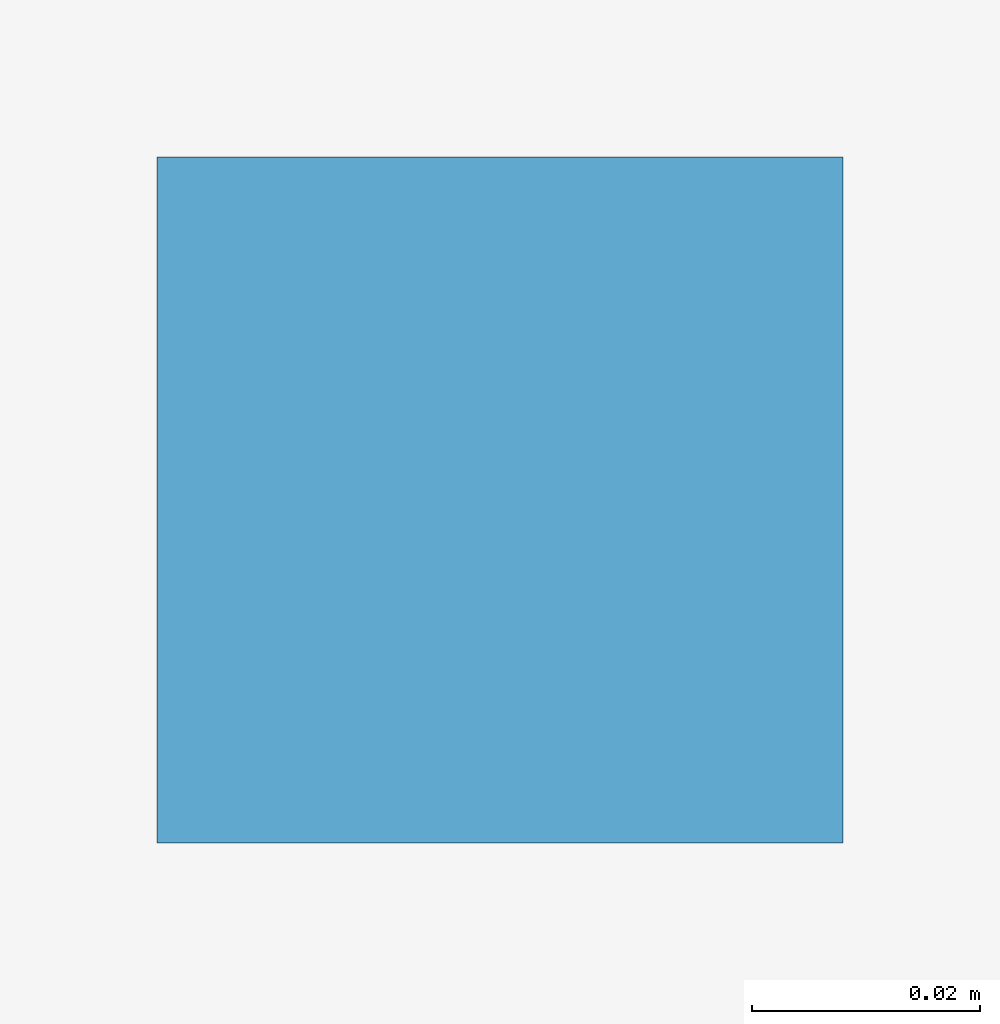
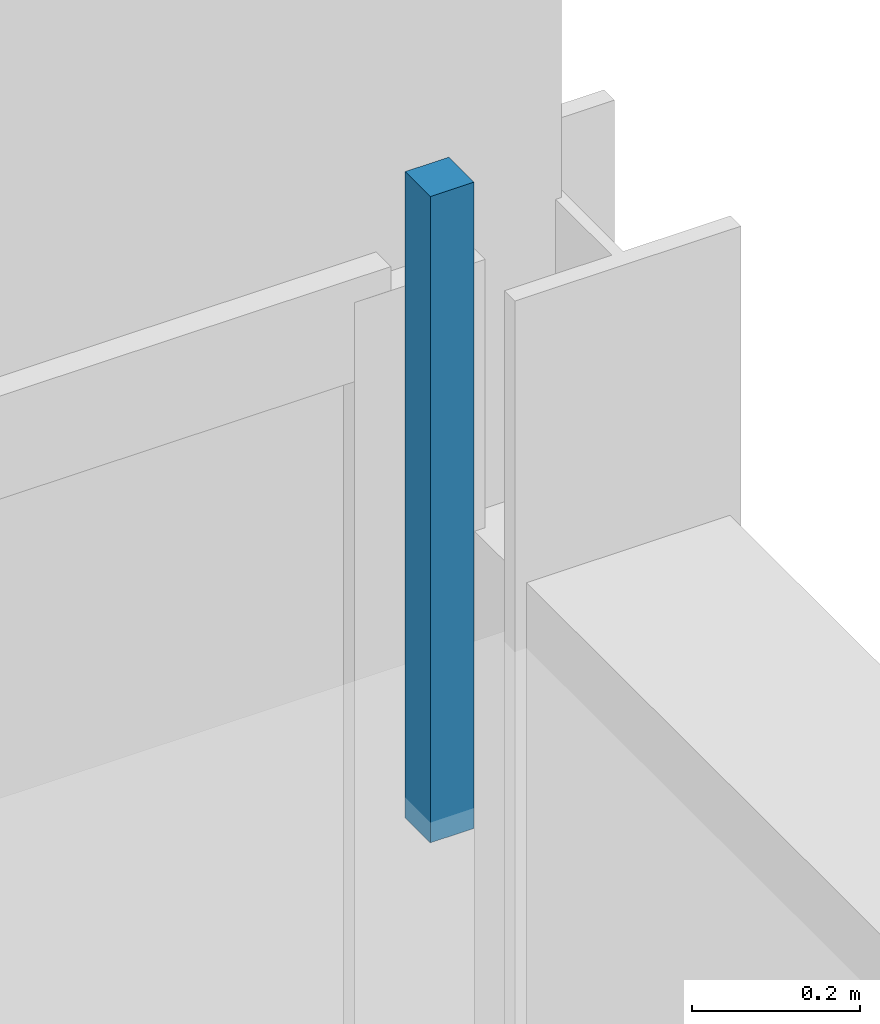
# One storey, part 20 of 22: 1 discrete accessory.
"""IFC4 building model written with IfcOpenShell, lengths in metres."""

from ifc_helpers import new_model, si_unit, direction, frame, origin, place, context, subcontext, project, spatial, polyline, outline, extrude, material, type_object, element, save


model = new_model("IFC4")

# Units and contexts
model_context = context("Model", 3, precision=1e-05, world=origin(), true_north=direction((0.0, 1.0)))
body_context = subcontext(model_context, "Body", "Model", "MODEL_VIEW")
ifc_project = project(units=[si_unit("LENGTHUNIT", "METRE"), si_unit("AREAUNIT", "SQUARE_METRE"), si_unit("VOLUMEUNIT", "CUBIC_METRE"), si_unit("PLANEANGLEUNIT", "RADIAN"), si_unit("MASSUNIT", "GRAM", prefix="KILO")], contexts=[model_context])

# Site, building, storey
site_placement = place(None, origin())
site = spatial("IfcSite", under=ifc_project, at=site_placement, CompositionType="ELEMENT")
building_placement = place(site_placement, origin())
building = spatial("IfcBuilding", under=site, at=building_placement, Name="Dunescarp Central Library", CompositionType="ELEMENT")
storey_placement = place(building_placement, frame((0.0, 0.0, 27.60009765625)))
storey = spatial("IfcBuildingStorey", under=building, at=storey_placement, Name="L06", CompositionType="ELEMENT", Elevation=27.60009765625)

# Discrete accessory
ifc_material = material(Name="Stainless steel Grade 316L", Category="steel")
discrete_accessory_type = type_object("IfcDiscreteAccessoryType", Name="ARC-ACC-BRK", PredefinedType="BRACKET", material=ifc_material)
discrete_accessory_placement = place(storey_placement, frame((0.0, 0.0, 3.059814453125)))
element("IfcDiscreteAccessory", 1, at=discrete_accessory_placement, inside=storey, type_object=discrete_accessory_type, Name="L06 ceiling hanger CLG-L06-044-H2", PredefinedType="BRACKET", context=body_context, shape_type="SweptSolid", body=[
    extrude(outline(polyline([(33.179931640625, 36.3798828125), (33.239990234375, 36.3798828125), (33.239990234375, 36.43994140625), (33.179931640625, 36.43994140625), (33.179931640625, 36.3798828125)])), origin(), (0.0, 0.0, 1.0), 0.940185546875),
])

save(model, "model.ifc")
